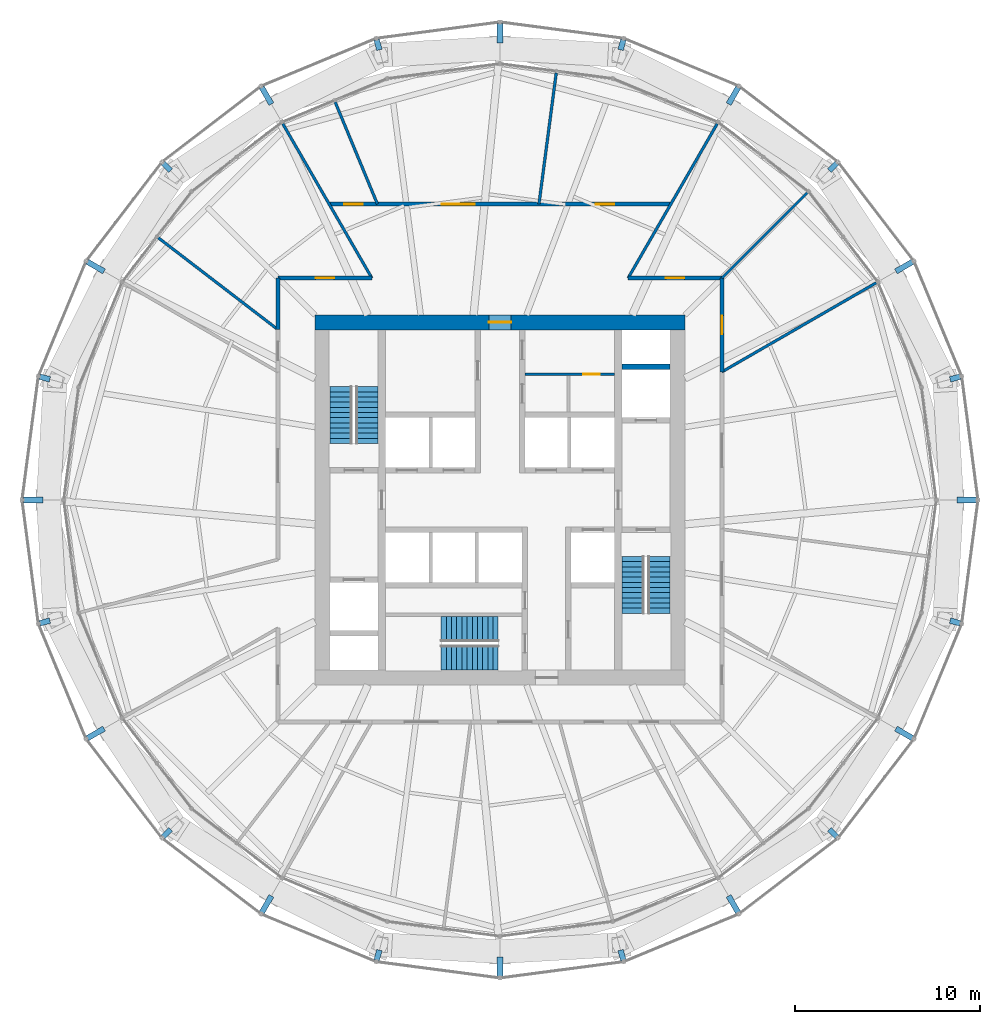
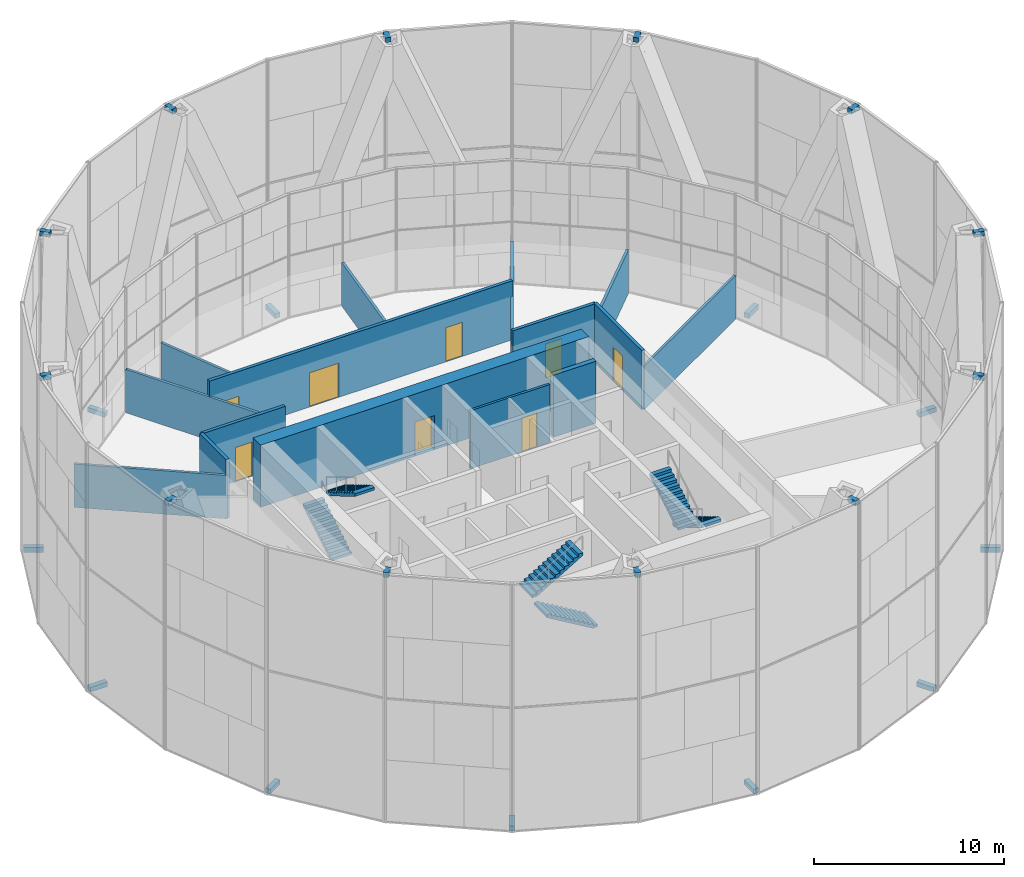
# One storey, part 21 of 22: 24 discrete accessories, 15 walls, 8 doors, 6 stair flights, 8 openings, 3 elements without a shape of their own.
"""IFC4 building model written with IfcOpenShell, lengths in metres."""

from ifc_helpers import new_model, si_unit, direction, frame, frame_2d, origin, origin_2d, place, context, subcontext, project, spatial, polyline, rectangle, outline, extrude, material, layer, layer_set, type_object, element, fill, aggregate, save


model = new_model("IFC4")

# Units and contexts
model_context = context("Model", 3, precision=1e-05, world=origin(), true_north=direction((0.0, 1.0)))
body_context = subcontext(model_context, "Body", "Model", "MODEL_VIEW")
ifc_project = project(units=[si_unit("LENGTHUNIT", "METRE"), si_unit("AREAUNIT", "SQUARE_METRE"), si_unit("VOLUMEUNIT", "CUBIC_METRE"), si_unit("PLANEANGLEUNIT", "RADIAN"), si_unit("MASSUNIT", "GRAM", prefix="KILO")], contexts=[model_context])

# Site, building, storey
site_placement = place(None, origin())
site = spatial("IfcSite", under=ifc_project, at=site_placement, CompositionType="ELEMENT")
building_placement = place(site_placement, origin())
building = spatial("IfcBuilding", under=site, at=building_placement, Name="Golbaran Civic Tower", CompositionType="ELEMENT")
storey_placement = place(building_placement, frame((0.0, 0.0, 53.0)))
storey = spatial("IfcBuildingStorey", under=building, at=storey_placement, Name="L12", CompositionType="ELEMENT", Elevation=53.0)

# Wall, opening, door
ifc_material_1 = material(Name="Concrete block", Category="concrete")
ifc_layer_1 = layer(ifc_material_1, 0.14990234375, Name="Concrete block")
ifc_layer_set_1 = layer_set([ifc_layer_1], Name="Concrete block")
wall_type_1 = type_object("IfcWallType", Name="BLOCKWORK PARTITION 150", PredefinedType="PARTITIONING", material=ifc_layer_set_1)
wall_1_placement = place(storey_placement, frame((1.35009765625, 6.800048828125, 0.0), z_axis=(0.0, 0.0, 1.0), x_axis=(1.0, 0.0, 0.0)))
wall_1 = element("IfcWall", 1, at=wall_1_placement, inside=storey, type_object=wall_type_1, Name="Toilet block partition TN1 L12", PredefinedType="PARTITIONING", context=body_context, shape_type="SweptSolid", body=[
    extrude(rectangle(XDim=4.849853515625, YDim=0.14990234375, at=frame_2d((2.4248046875, 0.0))), origin(), (0.0, 0.0, 1.0), 3.75),
])
opening_1_placement = place(wall_1_placement, frame((3.14990234375, 0.0, 0.0)))
opening_1 = element("IfcOpeningElement", 2, at=opening_1_placement, cuts=wall_1, Name="Opening L12.CLN", PredefinedType="OPENING", context=body_context, shape_type="SweptSolid", body=[
    extrude(rectangle(XDim=0.89990234375, YDim=2.199951171875, at=frame_2d((0.449951171875, 1.10009765625))), frame((0.0, 0.0849609375, 0.0), z_axis=(0.0, -1.0, 0.0), x_axis=(1.0, 0.0, 0.0)), (0.0, 0.0, 1.0), 0.169921875),
])
ifc_material_2 = material(Name="Timber door set in steel frame", Category="steel")
door_type_1 = type_object("IfcDoorType", Name="RISER DOOR 900x2200", OperationType="SINGLE_SWING_LEFT", PredefinedType="DOOR", material=ifc_material_2)
door_1_placement = place(opening_1_placement, origin())
door_1 = element("IfcDoor", 3, at=door_1_placement, inside=storey, type_object=door_type_1, Name="Cleaner's Store door", OperationType="SINGLE_SWING_RIGHT", OverallHeight=2.199951171875, OverallWidth=0.89990234375, PredefinedType="DOOR", context=body_context, shape_type="SweptSolid", body=[
    extrude(rectangle(XDim=0.89990234375, YDim=2.199951171875, at=frame_2d((0.449951171875, 1.10009765625))), frame((0.0, 0.02490234375, 0.0), z_axis=(0.0, -1.0, 0.0), x_axis=(1.0, 0.0, 0.0)), (0.0, 0.0, 1.0), 0.050048828125),
])
fill(opening_1, door_1)

ifc_material_3 = material(Name="Concrete C50/60", Category="concrete")
ifc_layer_2 = layer(ifc_material_3, 0.800048828125, Name="Concrete C50/60")
ifc_layer_set_2 = layer_set([ifc_layer_2], Name="Concrete C50/60")
wall_type_2 = type_object("IfcWallType", Name="CORE WALL CONCRETE 800", PredefinedType="SOLIDWALL", material=ifc_layer_set_2)
wall_2_placement = place(storey_placement, frame((-10.0, 9.60009765625, 0.0), z_axis=(0.0, 0.0, 1.0), x_axis=(1.0, 0.0, 0.0)))
wall_2 = element("IfcWall", 4, at=wall_2_placement, inside=storey, type_object=wall_type_2, Name="Core wall CN L12", PredefinedType="SOLIDWALL", context=body_context, shape_type="SweptSolid", body=[
    extrude(rectangle(XDim=20.0, YDim=0.800048828125, at=frame_2d((10.0, 0.0))), origin(), (0.0, 0.0, 1.0), 4.0),
])
opening_2_placement = place(wall_2_placement, frame((9.39990234375, 0.0, 0.0)))
opening_2 = element("IfcOpeningElement", 5, at=opening_2_placement, cuts=wall_2, Name="Opening L12.CN", PredefinedType="OPENING", context=body_context, shape_type="SweptSolid", body=[
    extrude(rectangle(XDim=1.199951171875, YDim=2.199951171875, at=frame_2d((0.60009765625, 1.10009765625))), frame((0.0, 0.409912109375, 0.0), z_axis=(0.0, -1.0, 0.0), x_axis=(1.0, 0.0, 0.0)), (0.0, 0.0, 1.0), 0.820068359375),
])
door_type_2 = type_object("IfcDoorType", Name="CORE DOOR 1200x2200", OperationType="DOUBLE_DOOR_SINGLE_SWING", PredefinedType="DOOR", material=ifc_material_2)
door_2_placement = place(opening_2_placement, origin())
door_2 = element("IfcDoor", 6, at=door_2_placement, inside=storey, type_object=door_type_2, Name="Core door north", OperationType="DOUBLE_DOOR_SINGLE_SWING", OverallHeight=2.199951171875, OverallWidth=1.199951171875, PredefinedType="DOOR", context=body_context, shape_type="SweptSolid", body=[
    extrude(rectangle(XDim=1.199951171875, YDim=2.199951171875, at=frame_2d((0.60009765625, 1.10009765625))), frame((0.0, 0.02490234375, 0.0), z_axis=(0.0, -1.0, 0.0), x_axis=(1.0, 0.0, 0.0)), (0.0, 0.0, 1.0), 0.050048828125),
])
fill(opening_2, door_2)

ifc_material_4 = material(Name="Gypsum board on steel studs, fire-rated", Category="steel")
ifc_layer_3 = layer(ifc_material_4, 0.199951171875, Name="Gypsum board on steel studs, fire-rated")
ifc_layer_set_3 = layer_set([ifc_layer_3], Name="Gypsum board on steel studs, fire-rated")
wall_type_3 = type_object("IfcWallType", Name="CORRIDOR WALL 200", PredefinedType="PARTITIONING", material=ifc_layer_set_3)
wall_3_placement = place(storey_placement, frame((12.0, 6.92822265625, 0.0), z_axis=(0.0, 0.0, 1.0), x_axis=(0.0, 1.0, 0.0)))
wall_3 = element("IfcWall", 7, at=wall_3_placement, inside=storey, type_object=wall_type_3, Name="Corridor wall L12", PredefinedType="PARTITIONING", context=body_context, shape_type="SweptSolid", body=[
    extrude(rectangle(XDim=5.07177734375, YDim=0.199951171875, at=frame_2d((2.535888671875, 0.0))), origin(), (0.0, 0.0, 1.0), 3.800048828125),
])
opening_3_placement = place(wall_3_placement, frame((2.035888671875, 0.0, 0.0)))
opening_3 = element("IfcOpeningElement", 8, at=opening_3_placement, cuts=wall_3, Name="Opening L12.06", PredefinedType="OPENING", context=body_context, shape_type="SweptSolid", body=[
    extrude(rectangle(XDim=1.0, YDim=2.199951171875, at=frame_2d((0.5, 1.10009765625))), frame((0.0, 0.10986328125, 0.0), z_axis=(0.0, -1.0, 0.0), x_axis=(1.0, 0.0, 0.0)), (0.0, 0.0, 1.0), 0.219970703125),
])
door_type_3 = type_object("IfcDoorType", Name="OFFICE DOOR 1000x2200", OperationType="SINGLE_SWING_LEFT", PredefinedType="DOOR", material=ifc_material_2)
door_3_placement = place(opening_3_placement, origin())
door_3 = element("IfcDoor", 9, at=door_3_placement, inside=storey, type_object=door_type_3, Name="Prayer Room door L12", OperationType="SINGLE_SWING_LEFT", OverallHeight=2.199951171875, OverallWidth=1.0, PredefinedType="DOOR", context=body_context, shape_type="SweptSolid", body=[
    extrude(rectangle(XDim=1.0, YDim=2.199951171875, at=frame_2d((0.5, 1.10009765625))), frame((0.0, 0.02490234375, 0.0), z_axis=(0.0, -1.0, 0.0), x_axis=(1.0, 0.0, 0.0)), (0.0, 0.0, 1.0), 0.050048828125),
])
fill(opening_3, door_3)

wall_4_placement = place(storey_placement, frame((12.0, 12.0, 0.0), z_axis=(0.0, 0.0, 1.0), x_axis=(-1.0, 0.0, 0.0)))
wall_4 = element("IfcWall", 10, at=wall_4_placement, inside=storey, type_object=wall_type_3, Name="Corridor wall L12", PredefinedType="PARTITIONING", context=body_context, shape_type="SweptSolid", body=[
    extrude(rectangle(XDim=5.07177734375, YDim=0.199951171875, at=frame_2d((2.535888671875, 0.0))), origin(), (0.0, 0.0, 1.0), 3.800048828125),
])
opening_4_placement = place(wall_4_placement, frame((2.035888671875, 0.0, 0.0)))
opening_4 = element("IfcOpeningElement", 11, at=opening_4_placement, cuts=wall_4, Name="Opening L12.07", PredefinedType="OPENING", context=body_context, shape_type="SweptSolid", body=[
    extrude(rectangle(XDim=1.0, YDim=2.199951171875, at=frame_2d((0.5, 1.10009765625))), frame((0.0, 0.10986328125, 0.0), z_axis=(0.0, -1.0, 0.0), x_axis=(1.0, 0.0, 0.0)), (0.0, 0.0, 1.0), 0.219970703125),
])
door_4_placement = place(opening_4_placement, origin())
door_4 = element("IfcDoor", 12, at=door_4_placement, inside=storey, type_object=door_type_3, Name="Pantry door L12", OperationType="SINGLE_SWING_RIGHT", OverallHeight=2.199951171875, OverallWidth=1.0, PredefinedType="DOOR", context=body_context, shape_type="SweptSolid", body=[
    extrude(rectangle(XDim=1.0, YDim=2.199951171875, at=frame_2d((0.5, 1.10009765625))), frame((0.0, 0.02490234375, 0.0), z_axis=(0.0, -1.0, 0.0), x_axis=(1.0, 0.0, 0.0)), (0.0, 0.0, 1.0), 0.050048828125),
])
fill(opening_4, door_4)

wall_5_placement = place(storey_placement, frame((-6.92822265625, 12.0, 0.0), z_axis=(0.0, 0.0, 1.0), x_axis=(-1.0, 0.0, 0.0)))
wall_5 = element("IfcWall", 13, at=wall_5_placement, inside=storey, type_object=wall_type_3, Name="Corridor wall L12", PredefinedType="PARTITIONING", context=body_context, shape_type="SweptSolid", body=[
    extrude(rectangle(XDim=5.07177734375, YDim=0.199951171875, at=frame_2d((2.535888671875, 0.0))), origin(), (0.0, 0.0, 1.0), 3.800048828125),
])
opening_5_placement = place(wall_5_placement, frame((2.035888671875, 0.0, 0.0)))
opening_5 = element("IfcOpeningElement", 14, at=opening_5_placement, cuts=wall_5, Name="Opening L12.08", PredefinedType="OPENING", context=body_context, shape_type="SweptSolid", body=[
    extrude(rectangle(XDim=1.0, YDim=2.199951171875, at=frame_2d((0.5, 1.10009765625))), frame((0.0, 0.10986328125, 0.0), z_axis=(0.0, -1.0, 0.0), x_axis=(1.0, 0.0, 0.0)), (0.0, 0.0, 1.0), 0.219970703125),
])
door_5_placement = place(opening_5_placement, origin())
door_5 = element("IfcDoor", 15, at=door_5_placement, inside=storey, type_object=door_type_3, Name="Office door L12", OperationType="SINGLE_SWING_RIGHT", OverallHeight=2.199951171875, OverallWidth=1.0, PredefinedType="DOOR", context=body_context, shape_type="SweptSolid", body=[
    extrude(rectangle(XDim=1.0, YDim=2.199951171875, at=frame_2d((0.5, 1.10009765625))), frame((0.0, 0.02490234375, 0.0), z_axis=(0.0, -1.0, 0.0), x_axis=(1.0, 0.0, 0.0)), (0.0, 0.0, 1.0), 0.050048828125),
])
fill(opening_5, door_5)

# Wall
wall_6_placement = place(storey_placement, frame((-12.0, 12.0, 0.0), z_axis=(0.0, 0.0, 1.0), x_axis=(0.0, -1.0, 0.0)))
element("IfcWall", 16, at=wall_6_placement, inside=storey, type_object=wall_type_3, Name="Corridor wall L12", PredefinedType="PARTITIONING", context=body_context, shape_type="SweptSolid", body=[
    extrude(rectangle(XDim=2.7919921875, YDim=0.199951171875, at=frame_2d((1.39599609375, 0.0))), origin(), (0.0, 0.0, 1.0), 3.800048828125),
])

# Wall, openings, doors
ifc_material_5 = material(Name="Gypsum board on steel studs, fire-rated, glazed panels", Category="steel")
ifc_layer_4 = layer(ifc_material_5, 0.199951171875, Name="Gypsum board on steel studs, fire-rated, glazed panels")
ifc_layer_set_4 = layer_set([ifc_layer_4], Name="Gypsum board on steel studs, fire-rated, glazed panels")
wall_type_4 = type_object("IfcWallType", Name="GALLERY WALL 200", PredefinedType="PARTITIONING", material=ifc_layer_set_4)
wall_7_placement = place(storey_placement, frame((9.237548828125, 16.0, 0.0), z_axis=(0.0, 0.0, 1.0), x_axis=(-1.0, 0.0, 0.0)))
wall_7 = element("IfcWall", 17, at=wall_7_placement, inside=storey, type_object=wall_type_4, Name="Gallery wall L12", PredefinedType="PARTITIONING", context=body_context, shape_type="SweptSolid", body=[
    extrude(rectangle(XDim=18.47509765625, YDim=0.199951171875, at=frame_2d((9.237548828125, 0.0))), origin(), (0.0, 0.0, 1.0), 3.800048828125),
])
opening_6_placement = place(wall_7_placement, frame((3.065673828125, 0.0, 0.0)))
opening_6 = element("IfcOpeningElement", 18, at=opening_6_placement, cuts=wall_7, Name="Opening L12.01", PredefinedType="OPENING", context=body_context, shape_type="SweptSolid", body=[
    extrude(rectangle(XDim=1.0, YDim=2.199951171875, at=frame_2d((0.5, 1.10009765625))), frame((0.0, 0.10986328125, 0.0), z_axis=(0.0, -1.0, 0.0), x_axis=(1.0, 0.0, 0.0)), (0.0, 0.0, 1.0), 0.219970703125),
])
opening_7_placement = place(wall_7_placement, frame((10.59814453125, 0.0, 0.0)))
opening_7 = element("IfcOpeningElement", 19, at=opening_7_placement, cuts=wall_7, Name="Opening L12.02", PredefinedType="OPENING", context=body_context, shape_type="SweptSolid", body=[
    extrude(rectangle(XDim=1.800048828125, YDim=2.199951171875, at=frame_2d((0.89990234375, 1.10009765625))), frame((0.0, 0.10986328125, 0.0), z_axis=(0.0, -1.0, 0.0), x_axis=(1.0, 0.0, 0.0)), (0.0, 0.0, 1.0), 0.219970703125),
])
opening_8_placement = place(wall_7_placement, frame((16.670166015625, 0.0, 0.0)))
opening_8 = element("IfcOpeningElement", 20, at=opening_8_placement, cuts=wall_7, Name="Opening L12.03", PredefinedType="OPENING", context=body_context, shape_type="SweptSolid", body=[
    extrude(rectangle(XDim=1.0, YDim=2.199951171875, at=frame_2d((0.5, 1.10009765625))), frame((0.0, 0.10986328125, 0.0), z_axis=(0.0, -1.0, 0.0), x_axis=(1.0, 0.0, 0.0)), (0.0, 0.0, 1.0), 0.219970703125),
])
door_6_placement = place(opening_6_placement, origin())
door_6 = element("IfcDoor", 21, at=door_6_placement, inside=storey, type_object=door_type_3, Name="Office door L12", OperationType="SINGLE_SWING_LEFT", OverallHeight=2.199951171875, OverallWidth=1.0, PredefinedType="DOOR", context=body_context, shape_type="SweptSolid", body=[
    extrude(rectangle(XDim=1.0, YDim=2.199951171875, at=frame_2d((0.5, 1.10009765625))), frame((0.0, 0.02490234375, 0.0), z_axis=(0.0, -1.0, 0.0), x_axis=(1.0, 0.0, 0.0)), (0.0, 0.0, 1.0), 0.050048828125),
])
fill(opening_6, door_6)
door_7_placement = place(opening_8_placement, origin())
door_7 = element("IfcDoor", 22, at=door_7_placement, inside=storey, type_object=door_type_3, Name="Director's Office door L12", OperationType="SINGLE_SWING_RIGHT", OverallHeight=2.199951171875, OverallWidth=1.0, PredefinedType="DOOR", context=body_context, shape_type="SweptSolid", body=[
    extrude(rectangle(XDim=1.0, YDim=2.199951171875, at=frame_2d((0.5, 1.10009765625))), frame((0.0, 0.02490234375, 0.0), z_axis=(0.0, -1.0, 0.0), x_axis=(1.0, 0.0, 0.0)), (0.0, 0.0, 1.0), 0.050048828125),
])
fill(opening_8, door_7)
door_type_4 = type_object("IfcDoorType", Name="OFFICE DOUBLE DOOR 1800x2200", OperationType="DOUBLE_DOOR_SINGLE_SWING", PredefinedType="DOOR", material=ifc_material_2)
door_8_placement = place(opening_7_placement, origin())
door_8 = element("IfcDoor", 23, at=door_8_placement, inside=storey, type_object=door_type_4, Name="Director's Office door L12", OperationType="DOUBLE_DOOR_SINGLE_SWING", OverallHeight=2.199951171875, OverallWidth=1.800048828125, PredefinedType="DOOR", context=body_context, shape_type="SweptSolid", body=[
    extrude(rectangle(XDim=1.800048828125, YDim=2.199951171875, at=frame_2d((0.89990234375, 1.10009765625))), frame((0.0, 0.02490234375, 0.0), z_axis=(0.0, -1.0, 0.0), x_axis=(1.0, 0.0, 0.0)), (0.0, 0.0, 1.0), 0.050048828125),
])
fill(opening_7, door_8)

# Walls
ifc_material_6 = material(Name="Gypsum board on steel studs", Category="steel")
ifc_layer_5 = layer(ifc_material_6, 0.14990234375, Name="Gypsum board on steel studs")
ifc_layer_set_5 = layer_set([ifc_layer_5], Name="Gypsum board on steel studs")
wall_type_5 = type_object("IfcWallType", Name="OFFICE PARTITION 150", PredefinedType="PARTITIONING", material=ifc_layer_set_5)
wall_8_placement = place(storey_placement, frame((12.0, 6.92822265625, 0.0), z_axis=(0.0, 0.0, 1.0), x_axis=(0.866030350715, 0.499991431567, 0.0)))
element("IfcWall", 24, at=wall_8_placement, inside=storey, type_object=wall_type_5, Name="Partition 30 L12", PredefinedType="PARTITIONING", context=body_context, shape_type="SweptSolid", body=[
    extrude(rectangle(XDim=9.637939453125, YDim=0.14990234375, at=frame_2d((4.81884765625, 0.0))), origin(), (0.0, 0.0, 1.0), 2.7900390625),
])
wall_9_placement = place(storey_placement, frame((12.0, 12.0, 0.0), z_axis=(0.0, 0.0, 1.0), x_axis=(0.707106781187, 0.707106781187, 0.0)))
element("IfcWall", 25, at=wall_9_placement, inside=storey, type_object=wall_type_5, Name="Partition 45 L12", PredefinedType="PARTITIONING", context=body_context, shape_type="SweptSolid", body=[
    extrude(rectangle(XDim=6.52392578125, YDim=0.14990234375, at=frame_2d((3.261962890625, 0.0))), origin(), (0.0, 0.0, 1.0), 2.7900390625),
])
for number, where, z_axis, x_axis, name in (
    (26, (6.92822265625, 12.0, 0.0), (0.0, 0.0, 1.0), (0.499991431567, 0.866030350715, 0.0), "Partition 60 L12"),
    (27, (-6.92822265625, 12.0, 0.0), (0.0, 0.0, 1.0), (-0.499991431567, 0.866030350715, 0.0), "Partition 120 L12"),
):
    element("IfcWall", number, at=place(storey_placement, frame(where, z_axis=z_axis, x_axis=x_axis)), inside=storey, type_object=wall_type_5, Name=name, PredefinedType="PARTITIONING", context=body_context, shape_type="SweptSolid", body=[
        extrude(rectangle(XDim=9.637939453125, YDim=0.14990234375, at=frame_2d((4.81884765625, 0.0))), origin(), (0.0, 0.0, 1.0), 2.7900390625),
    ])
wall_10_placement = place(storey_placement, frame((-12.0, 9.2080078125, 0.0), z_axis=(0.0, 0.0, 1.0), x_axis=(-0.793362371633, 0.608749658954, 0.0)))
element("IfcWall", 28, at=wall_10_placement, inside=storey, type_object=wall_type_5, Name="Partition 142.5 L12", PredefinedType="PARTITIONING", context=body_context, shape_type="SweptSolid", body=[
    extrude(rectangle(XDim=8.16748046875, YDim=0.14990234375, at=frame_2d((4.083740234375, 0.0))), origin(), (0.0, 0.0, 1.0), 2.7900390625),
])
wall_11_placement = place(storey_placement, frame((2.1064453125, 16.0, 0.0), z_axis=(0.0, 0.0, 1.0), x_axis=(0.130511883532, 0.991446745043, 0.0)))
element("IfcWall", 29, at=wall_11_placement, inside=storey, type_object=wall_type_5, Name="Partition 82.5 L12", PredefinedType="PARTITIONING", context=body_context, shape_type="SweptSolid", body=[
    extrude(rectangle(XDim=7.1552734375, YDim=0.14990234375, at=frame_2d((3.57763671875, 0.0))), origin(), (0.0, 0.0, 1.0), 2.7900390625),
])
wall_12_placement = place(storey_placement, frame((-6.62744140625, 16.0, 0.0), z_axis=(0.0, 0.0, 1.0), x_axis=(-0.382670574825, 0.923884858174, 0.0)))
element("IfcWall", 30, at=wall_12_placement, inside=storey, type_object=wall_type_5, Name="Partition 112.5 L12", PredefinedType="PARTITIONING", context=body_context, shape_type="SweptSolid", body=[
    extrude(rectangle(XDim=5.974853515625, YDim=0.14990234375, at=frame_2d((2.9873046875, 0.0))), origin(), (0.0, 0.0, 1.0), 2.7900390625),
])
ifc_layer_6 = layer(ifc_material_3, 0.300048828125, Name="Concrete C50/60")
ifc_layer_set_6 = layer_set([ifc_layer_6], Name="Concrete C50/60")
wall_type_6 = type_object("IfcWallType", Name="SHAFT WALL CONCRETE 300", PredefinedType="SOLIDWALL", material=ifc_layer_set_6)
wall_13_placement = place(storey_placement, frame((6.60009765625, 7.199951171875, 0.0), z_axis=(0.0, 0.0, 1.0), x_axis=(1.0, 0.0, 0.0)))
element("IfcWall", 31, at=wall_13_placement, inside=storey, type_object=wall_type_6, Name="Core wall XE3 L12", PredefinedType="SOLIDWALL", context=body_context, shape_type="SweptSolid", body=[
    extrude(rectangle(XDim=2.599853515625, YDim=0.300048828125, at=frame_2d((1.2998046875, 0.0))), origin(), (0.0, 0.0, 1.0), 4.0),
])

# Stair, stair flights
ifc_material_7 = material(Name="Concrete C35/45", Category="concrete")
stair_type_1 = type_object("IfcStairType", Name="EXIT STAIR 2600 x 7450, 4000 RISE", PredefinedType="HALF_TURN_STAIR", material=ifc_material_7)
stair_1_placement = place(storey_placement, origin())
stair_1 = element("IfcStair", 32, at=stair_1_placement, inside=storey, type_object=stair_type_1, Name="Stair S1 L12", PredefinedType="HALF_TURN_STAIR")
stair_flight_type_1 = type_object("IfcStairFlightType", Name="STAIR FLIGHT 1200 WIDE", PredefinedType="STRAIGHT", material=ifc_material_7)
stair_flight_1_placement = place(storey_placement, frame((-8.60009765625, 3.050048828125, 0.0), z_axis=(0.0, 0.0, 1.0), x_axis=(0.0, 1.0, 0.0)))
stair_flight_1 = element("IfcStairFlight", 33, at=stair_flight_1_placement, type_object=stair_flight_type_1, Name="ST26074-40 flight 1", NumberOfRisers=12, NumberOfTreads=11, PredefinedType="STRAIGHT", RiserHeight=0.166666667, TreadLength=0.28, context=body_context, shape_type="SweptSolid", body=[
    extrude(outline(polyline([(0.0, 0.0), (0.0, 0.166748046875), (0.280029296875, 0.166748046875), (0.280029296875, 0.333251953125), (0.56005859375, 0.333251953125), (0.56005859375, 0.5), (0.840087890625, 0.5), (0.840087890625, 0.666748046875), (1.1201171875, 0.666748046875), (1.1201171875, 0.833251953125), (1.39990234375, 0.833251953125), (1.39990234375, 1.0), (1.679931640625, 1.0), (1.679931640625, 1.166748046875), (1.9599609375, 1.166748046875), (1.9599609375, 1.333251953125), (2.239990234375, 1.333251953125), (2.239990234375, 1.5), (2.52001953125, 1.5), (2.52001953125, 1.666748046875), (2.800048828125, 1.666748046875), (2.800048828125, 1.833251953125), (3.080078125, 1.833251953125), (3.080078125, 2.0), (3.080078125, 1.658935546875), (0.29296875, 0.0), (0.0, 0.0)])), frame((0.0, 0.60009765625, 0.0), z_axis=(0.0, -1.0, 0.0), x_axis=(1.0, 0.0, 0.0)), (0.0, 0.0, 1.0), 1.199951171875),
])
stair_flight_2_placement = place(storey_placement, frame((-7.199951171875, 6.1298828125, 2.0), z_axis=(0.0, 0.0, 1.0), x_axis=(0.0, -1.0, 0.0)))
stair_flight_2 = element("IfcStairFlight", 34, at=stair_flight_2_placement, type_object=stair_flight_type_1, Name="ST26074-40 flight 2", NumberOfRisers=12, NumberOfTreads=11, PredefinedType="STRAIGHT", RiserHeight=0.166666667, TreadLength=0.28, context=body_context, shape_type="SweptSolid", body=[
    extrude(outline(polyline([(0.0, 0.0), (0.0, 0.166748046875), (0.280029296875, 0.166748046875), (0.280029296875, 0.333251953125), (0.56005859375, 0.333251953125), (0.56005859375, 0.5), (0.840087890625, 0.5), (0.840087890625, 0.666748046875), (1.1201171875, 0.666748046875), (1.1201171875, 0.833251953125), (1.39990234375, 0.833251953125), (1.39990234375, 1.0), (1.679931640625, 1.0), (1.679931640625, 1.166748046875), (1.9599609375, 1.166748046875), (1.9599609375, 1.333251953125), (2.239990234375, 1.333251953125), (2.239990234375, 1.5), (2.52001953125, 1.5), (2.52001953125, 1.666748046875), (2.800048828125, 1.666748046875), (2.800048828125, 1.833251953125), (3.080078125, 1.833251953125), (3.080078125, 2.0), (3.080078125, 1.658935546875), (0.29296875, 0.0), (0.0, 0.0)])), frame((0.0, 0.60009765625, 0.0), z_axis=(0.0, -1.0, 0.0), x_axis=(1.0, 0.0, 0.0)), (0.0, 0.0, 1.0), 1.199951171875),
])
aggregate(stair_1, [stair_flight_1, stair_flight_2])

stair_2_placement = place(storey_placement, origin())
stair_2 = element("IfcStair", 35, at=stair_2_placement, inside=storey, type_object=stair_type_1, Name="Stair S2 L12", PredefinedType="HALF_TURN_STAIR")
stair_flight_3_placement = place(storey_placement, frame((8.60009765625, -3.050048828125, 0.0), z_axis=(0.0, 0.0, 1.0), x_axis=(0.0, -1.0, 0.0)))
stair_flight_3 = element("IfcStairFlight", 36, at=stair_flight_3_placement, type_object=stair_flight_type_1, Name="ST26074-40 flight 1", NumberOfRisers=12, NumberOfTreads=11, PredefinedType="STRAIGHT", RiserHeight=0.166666667, TreadLength=0.28, context=body_context, shape_type="SweptSolid", body=[
    extrude(outline(polyline([(0.0, 0.0), (0.0, 0.166748046875), (0.280029296875, 0.166748046875), (0.280029296875, 0.333251953125), (0.56005859375, 0.333251953125), (0.56005859375, 0.5), (0.840087890625, 0.5), (0.840087890625, 0.666748046875), (1.1201171875, 0.666748046875), (1.1201171875, 0.833251953125), (1.39990234375, 0.833251953125), (1.39990234375, 1.0), (1.679931640625, 1.0), (1.679931640625, 1.166748046875), (1.9599609375, 1.166748046875), (1.9599609375, 1.333251953125), (2.239990234375, 1.333251953125), (2.239990234375, 1.5), (2.52001953125, 1.5), (2.52001953125, 1.666748046875), (2.800048828125, 1.666748046875), (2.800048828125, 1.833251953125), (3.080078125, 1.833251953125), (3.080078125, 2.0), (3.080078125, 1.658935546875), (0.29296875, 0.0), (0.0, 0.0)])), frame((0.0, 0.60009765625, 0.0), z_axis=(0.0, -1.0, 0.0), x_axis=(1.0, 0.0, 0.0)), (0.0, 0.0, 1.0), 1.199951171875),
])
stair_flight_4_placement = place(storey_placement, frame((7.199951171875, -6.1298828125, 2.0), z_axis=(0.0, 0.0, 1.0), x_axis=(0.0, 1.0, 0.0)))
stair_flight_4 = element("IfcStairFlight", 37, at=stair_flight_4_placement, type_object=stair_flight_type_1, Name="ST26074-40 flight 2", NumberOfRisers=12, NumberOfTreads=11, PredefinedType="STRAIGHT", RiserHeight=0.166666667, TreadLength=0.28, context=body_context, shape_type="SweptSolid", body=[
    extrude(outline(polyline([(0.0, 0.0), (0.0, 0.166748046875), (0.280029296875, 0.166748046875), (0.280029296875, 0.333251953125), (0.56005859375, 0.333251953125), (0.56005859375, 0.5), (0.840087890625, 0.5), (0.840087890625, 0.666748046875), (1.1201171875, 0.666748046875), (1.1201171875, 0.833251953125), (1.39990234375, 0.833251953125), (1.39990234375, 1.0), (1.679931640625, 1.0), (1.679931640625, 1.166748046875), (1.9599609375, 1.166748046875), (1.9599609375, 1.333251953125), (2.239990234375, 1.333251953125), (2.239990234375, 1.5), (2.52001953125, 1.5), (2.52001953125, 1.666748046875), (2.800048828125, 1.666748046875), (2.800048828125, 1.833251953125), (3.080078125, 1.833251953125), (3.080078125, 2.0), (3.080078125, 1.658935546875), (0.29296875, 0.0), (0.0, 0.0)])), frame((0.0, 0.60009765625, 0.0), z_axis=(0.0, -1.0, 0.0), x_axis=(1.0, 0.0, 0.0)), (0.0, 0.0, 1.0), 1.199951171875),
])
aggregate(stair_2, [stair_flight_3, stair_flight_4])

stair_type_2 = type_object("IfcStairType", Name="EXIT STAIR 2900 x 7400, 4000 RISE", PredefinedType="HALF_TURN_STAIR", material=ifc_material_7)
stair_3_placement = place(storey_placement, origin())
stair_3 = element("IfcStair", 38, at=stair_3_placement, inside=storey, type_object=stair_type_2, Name="Stair S3 L12", PredefinedType="HALF_TURN_STAIR")
stair_flight_type_2 = type_object("IfcStairFlightType", Name="STAIR FLIGHT 1350 WIDE", PredefinedType="STRAIGHT", material=ifc_material_7)
stair_flight_5_placement = place(storey_placement, frame((-0.10009765625, -8.52490234375, 0.0), z_axis=(0.0, 0.0, 1.0), x_axis=(-1.0, 0.0, 0.0)))
stair_flight_5 = element("IfcStairFlight", 39, at=stair_flight_5_placement, type_object=stair_flight_type_2, Name="ST29074-40 flight 1", NumberOfRisers=12, NumberOfTreads=11, PredefinedType="STRAIGHT", RiserHeight=0.166666667, TreadLength=0.28, context=body_context, shape_type="SweptSolid", body=[
    extrude(outline(polyline([(0.0, 0.0), (0.0, 0.166748046875), (0.280029296875, 0.166748046875), (0.280029296875, 0.333251953125), (0.56005859375, 0.333251953125), (0.56005859375, 0.5), (0.840087890625, 0.5), (0.840087890625, 0.666748046875), (1.1201171875, 0.666748046875), (1.1201171875, 0.833251953125), (1.39990234375, 0.833251953125), (1.39990234375, 1.0), (1.679931640625, 1.0), (1.679931640625, 1.166748046875), (1.9599609375, 1.166748046875), (1.9599609375, 1.333251953125), (2.239990234375, 1.333251953125), (2.239990234375, 1.5), (2.52001953125, 1.5), (2.52001953125, 1.666748046875), (2.800048828125, 1.666748046875), (2.800048828125, 1.833251953125), (3.080078125, 1.833251953125), (3.080078125, 2.0), (3.080078125, 1.658935546875), (0.29296875, 0.0), (0.0, 0.0)])), frame((0.0, 0.675048828125, 0.0), z_axis=(0.0, -1.0, 0.0), x_axis=(1.0, 0.0, 0.0)), (0.0, 0.0, 1.0), 1.35009765625),
])
stair_flight_6_placement = place(storey_placement, frame((-3.179931640625, -6.97509765625, 2.0), z_axis=(0.0, 0.0, 1.0), x_axis=(1.0, 0.0, 0.0)))
stair_flight_6 = element("IfcStairFlight", 40, at=stair_flight_6_placement, type_object=stair_flight_type_2, Name="ST29074-40 flight 2", NumberOfRisers=12, NumberOfTreads=11, PredefinedType="STRAIGHT", RiserHeight=0.166666667, TreadLength=0.28, context=body_context, shape_type="SweptSolid", body=[
    extrude(outline(polyline([(0.0, 0.0), (0.0, 0.166748046875), (0.280029296875, 0.166748046875), (0.280029296875, 0.333251953125), (0.56005859375, 0.333251953125), (0.56005859375, 0.5), (0.840087890625, 0.5), (0.840087890625, 0.666748046875), (1.1201171875, 0.666748046875), (1.1201171875, 0.833251953125), (1.39990234375, 0.833251953125), (1.39990234375, 1.0), (1.679931640625, 1.0), (1.679931640625, 1.166748046875), (1.9599609375, 1.166748046875), (1.9599609375, 1.333251953125), (2.239990234375, 1.333251953125), (2.239990234375, 1.5), (2.52001953125, 1.5), (2.52001953125, 1.666748046875), (2.800048828125, 1.666748046875), (2.800048828125, 1.833251953125), (3.080078125, 1.833251953125), (3.080078125, 2.0), (3.080078125, 1.658935546875), (0.29296875, 0.0), (0.0, 0.0)])), frame((0.0, 0.675048828125, 0.0), z_axis=(0.0, -1.0, 0.0), x_axis=(1.0, 0.0, 0.0)), (0.0, 0.0, 1.0), 1.35009765625),
])
aggregate(stair_3, [stair_flight_5, stair_flight_6])

# Discrete accessories
ifc_material_8 = material(Name="Steel S355", Category="steel")
discrete_accessory_type = type_object("IfcDiscreteAccessoryType", Name="OUTER SKIN BRACKET", PredefinedType="BRACKET", material=ifc_material_8)
for number, where, z_axis, x_axis, name in (
    (41, (25.238525390625, 0.0, -0.7099609375), (0.0, 0.0, 1.0), (1.0, 0.0, 0.0), "Outer skin bracket L12 node 1"),
    (42, (21.857177734375, 12.619140625, -0.7099609375), (0.0, 0.0, 1.0), (0.866025403784, 0.5, 0.0), "Outer skin bracket L12 node 2"),
    (43, (12.619140625, 21.857177734375, -0.7099609375), (0.0, 0.0, 1.0), (0.5, 0.866025403784, 0.0), "Outer skin bracket L12 node 3"),
    (44, (0.0, 25.238525390625, -0.7099609375), (0.0, 0.0, 1.0), (0.0, 1.0, 0.0), "Outer skin bracket L12 node 4"),
    (45, (-12.619140625, 21.857177734375, -0.7099609375), (0.0, 0.0, 1.0), (-0.5, 0.866025403784, 0.0), "Outer skin bracket L12 node 5"),
    (46, (-21.857177734375, 12.619140625, -0.7099609375), (0.0, 0.0, 1.0), (-0.866025403784, 0.5, 0.0), "Outer skin bracket L12 node 6"),
    (47, (-25.238525390625, 0.0, -0.7099609375), (0.0, 0.0, 1.0), (-1.0, 0.0, 0.0), "Outer skin bracket L12 node 7"),
    (48, (-21.857177734375, -12.619140625, -0.7099609375), (0.0, 0.0, 1.0), (-0.866025403784, -0.5, 0.0), "Outer skin bracket L12 node 8"),
    (49, (-12.619140625, -21.857177734375, -0.7099609375), (0.0, 0.0, 1.0), (-0.5, -0.866025403784, 0.0), "Outer skin bracket L12 node 9"),
    (50, (0.0, -25.238525390625, -0.7099609375), (0.0, 0.0, 1.0), (0.0, -1.0, 0.0), "Outer skin bracket L12 node 10"),
    (51, (12.619140625, -21.857177734375, -0.7099609375), (0.0, 0.0, 1.0), (0.5, -0.866025403784, 0.0), "Outer skin bracket L12 node 11"),
    (52, (21.857177734375, -12.619140625, -0.7099609375), (0.0, 0.0, 1.0), (0.866025403784, -0.5, 0.0), "Outer skin bracket L12 node 12"),
):
    element("IfcDiscreteAccessory", number, at=place(storey_placement, frame(where, z_axis=z_axis, x_axis=x_axis)), inside=storey, type_object=discrete_accessory_type, Name=name, PredefinedType="BRACKET", context=body_context, shape_type="SweptSolid", body=[
        extrude(rectangle(XDim=1.044921875, YDim=0.300048828125, at=origin_2d()), origin(), (0.0, 0.0, 1.0), 0.300048828125),
    ])
for number, where, z_axis, x_axis, name in (
    (53, (24.60791015625, 6.59375, 14.98974609375), (0.0, 0.0, 1.0), (0.965925826289, 0.258819045103, 0.0), "Outer skin head bracket L12 node 1"),
    (54, (18.01416015625, 18.01416015625, 14.98974609375), (0.0, 0.0, 1.0), (0.707106781187, 0.707106781187, 0.0), "Outer skin head bracket L12 node 2"),
    (55, (6.59375, 24.60791015625, 14.98974609375), (0.0, 0.0, 1.0), (0.258819045103, 0.965925826289, 0.0), "Outer skin head bracket L12 node 3"),
    (56, (-6.59375, 24.60791015625, 14.98974609375), (0.0, 0.0, 1.0), (-0.258819045103, 0.965925826289, 0.0), "Outer skin head bracket L12 node 4"),
    (57, (-18.01416015625, 18.01416015625, 14.98974609375), (0.0, 0.0, 1.0), (-0.707106781187, 0.707106781187, 0.0), "Outer skin head bracket L12 node 5"),
    (58, (-24.60791015625, 6.59375, 14.98974609375), (0.0, 0.0, 1.0), (-0.965925826289, 0.258819045103, 0.0), "Outer skin head bracket L12 node 6"),
    (59, (-24.60791015625, -6.59375, 14.98974609375), (0.0, 0.0, 1.0), (-0.965925826289, -0.258819045103, 0.0), "Outer skin head bracket L12 node 7"),
    (60, (-18.01416015625, -18.01416015625, 14.98974609375), (0.0, 0.0, 1.0), (-0.707106781187, -0.707106781187, 0.0), "Outer skin head bracket L12 node 8"),
    (61, (-6.59375, -24.60791015625, 14.98974609375), (0.0, 0.0, 1.0), (-0.258819045103, -0.965925826289, 0.0), "Outer skin head bracket L12 node 9"),
    (62, (6.59375, -24.60791015625, 14.98974609375), (0.0, 0.0, 1.0), (0.258819045103, -0.965925826289, 0.0), "Outer skin head bracket L12 node 10"),
    (63, (18.01416015625, -18.01416015625, 14.98974609375), (0.0, 0.0, 1.0), (0.707106781187, -0.707106781187, 0.0), "Outer skin head bracket L12 node 11"),
    (64, (24.60791015625, -6.59375, 14.98974609375), (0.0, 0.0, 1.0), (0.965925826289, -0.258819045103, 0.0), "Outer skin head bracket L12 node 12"),
):
    element("IfcDiscreteAccessory", number, at=place(storey_placement, frame(where, z_axis=z_axis, x_axis=x_axis)), inside=storey, type_object=discrete_accessory_type, Name=name, PredefinedType="BRACKET", context=body_context, shape_type="SweptSolid", body=[
        extrude(rectangle(XDim=0.570068359375, YDim=0.300048828125, at=origin_2d()), origin(), (0.0, 0.0, 1.0), 0.300048828125),
    ])

save(model, "model.ifc")
